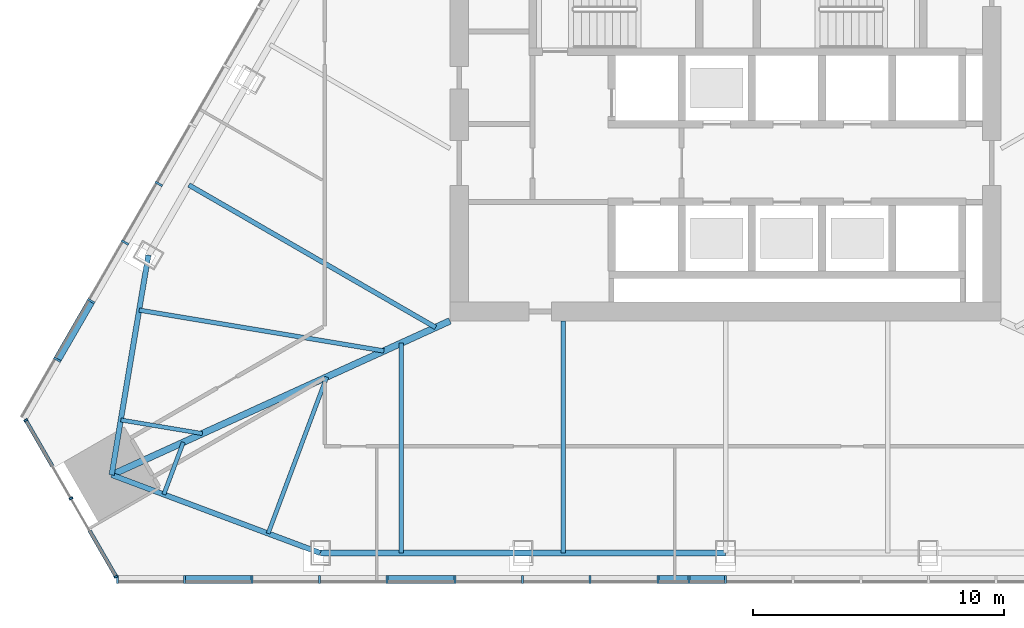
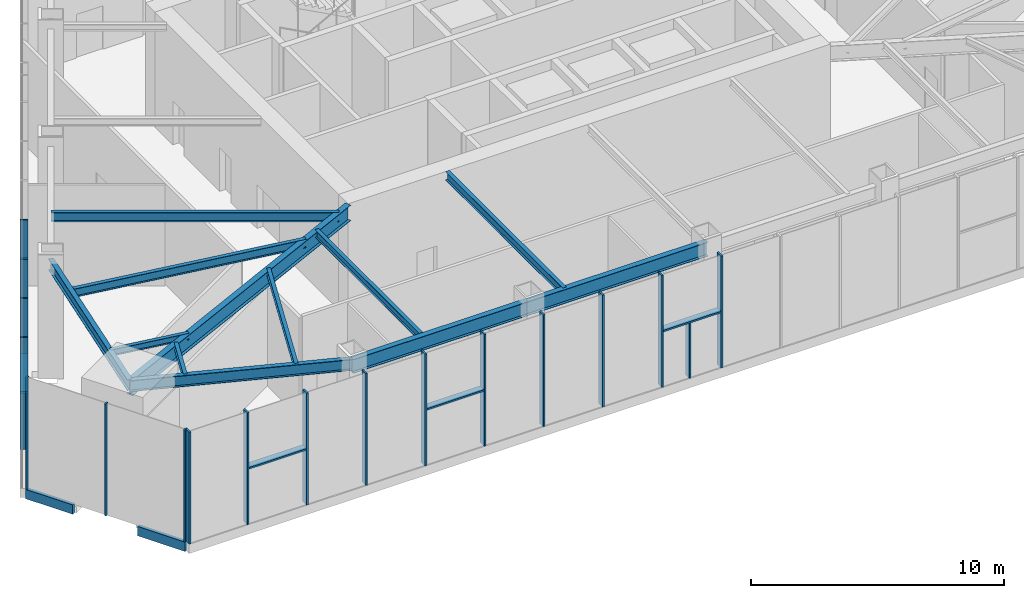
# One storey, part 2 of 16: 24 members, 11 beams, 3 elements without a shape of their own.
"""IFC4 building model written with IfcOpenShell, lengths in metres."""

from ifc_helpers import new_model, si_unit, direction, frame, origin, origin_2d, place, context, subcontext, project, spatial, rectangle, i_section, extrude, material, layer, layer_set, material_profile, profile_set, type_object, element, aggregate, save


model = new_model("IFC4")

# Units and contexts
model_context = context("Model", 3, precision=1e-05, world=origin(), true_north=direction((0.0, 1.0)))
body_context = subcontext(model_context, "Body", "Model", "MODEL_VIEW")
ifc_project = project(units=[si_unit("LENGTHUNIT", "METRE"), si_unit("AREAUNIT", "SQUARE_METRE"), si_unit("VOLUMEUNIT", "CUBIC_METRE"), si_unit("PLANEANGLEUNIT", "RADIAN"), si_unit("MASSUNIT", "GRAM", prefix="KILO")], contexts=[model_context])

# Site, building, storey
site_placement = place(None, origin())
site = spatial("IfcSite", under=ifc_project, at=site_placement, CompositionType="ELEMENT")
building_placement = place(site_placement, origin())
building = spatial("IfcBuilding", under=site, at=building_placement, Name="Firuza Gate Tower and Library", CompositionType="ELEMENT")
storey_placement = place(building_placement, frame((0.0, 0.0, 241.60009765625)))
storey = spatial("IfcBuildingStorey", under=building, at=storey_placement, Name="L57", CompositionType="ELEMENT", Elevation=241.60009765625)

# Curtain wall, members
ifc_material_1 = material(Name="Aluminium 6063-T6", Category="aluminium")
ifc_layer_1 = layer(ifc_material_1, 0.14990234375)
ifc_layer_set_1 = layer_set([ifc_layer_1], Name="Corner curtain wall, chamfers")
curtain_wall_type_1 = type_object("IfcCurtainWallType", Name="Corner curtain wall, chamfers", PredefinedType="NOTDEFINED", material=ifc_layer_set_1)
placement = place(storey_placement, origin())
curtain_wall_1 = element("IfcCurtainWall", 1, at=placement, inside=storey, type_object=curtain_wall_type_1, Name="CW4 L57 SW corner", PredefinedType="NOTDEFINED")
ifc_material_2 = material(Name="Aluminium 6063-T6", Category="aluminium")
ifc_material_profile_1 = material_profile(ifc_material_2, rectangle(XDim=0.14990234375, YDim=0.080078125, at=origin_2d()))
ifc_profile_set_1 = profile_set([ifc_material_profile_1], Name="Aluminium 6063-T6")
member_type_1 = type_object("IfcMemberType", Name="Curtain wall mullion 80x150", PredefinedType="MULLION", material=ifc_profile_set_1)
member_1_placement = place(storey_placement, frame((47.071044921875, 63.035888671875, 0.14990234375), z_axis=(0.0, 0.0, 1.0), x_axis=(0.866025403784, 0.5, 0.0)))
member_1 = element("IfcMember", 2, at=member_1_placement, type_object=member_type_1, Name="Mullion", PredefinedType="MULLION", context=body_context, shape_type="SweptSolid", body=[
    extrude(rectangle(XDim=0.14990234375, YDim=0.080078125, at=origin_2d()), origin(), (0.0, 0.0, 1.0), 5.39990234375),
])
member_2_placement = place(storey_placement, frame((48.87255859375, 59.915283203125, 0.14990234375), z_axis=(0.0, 0.0, 1.0), x_axis=(0.866025403784, 0.5, 0.0)))
member_2 = element("IfcMember", 3, at=member_2_placement, type_object=member_type_1, Name="Mullion", PredefinedType="MULLION", context=body_context, shape_type="SweptSolid", body=[
    extrude(rectangle(XDim=0.14990234375, YDim=0.080078125, at=origin_2d()), origin(), (0.0, 0.0, 1.0), 5.39990234375),
])
member_3_placement = place(storey_placement, frame((50.67431640625, 56.794921875, 0.14990234375), z_axis=(0.0, 0.0, 1.0), x_axis=(0.866025403784, 0.5, 0.0)))
member_3 = element("IfcMember", 4, at=member_3_placement, type_object=member_type_1, Name="Mullion", PredefinedType="MULLION", context=body_context, shape_type="SweptSolid", body=[
    extrude(rectangle(XDim=0.14990234375, YDim=0.080078125, at=origin_2d()), origin(), (0.0, 0.0, 1.0), 5.39990234375),
])

ifc_material_3 = material(Name="Aluminium 6063-T6", Category="aluminium")
ifc_layer_2 = layer(ifc_material_3, 0.14990234375)
ifc_layer_set_2 = layer_set([ifc_layer_2], Name="Unitised curtain wall, hotel")
curtain_wall_type_2 = type_object("IfcCurtainWallType", Name="Unitised curtain wall, hotel", PredefinedType="NOTDEFINED", material=ifc_layer_set_2)
curtain_wall_2 = element("IfcCurtainWall", 5, at=placement, inside=storey, type_object=curtain_wall_type_2, Name="CW2 L57 S face", PredefinedType="NOTDEFINED")
ifc_material_4 = material(Name="Aluminium 6063-T6", Category="aluminium")
ifc_material_profile_2 = material_profile(ifc_material_4, rectangle(XDim=0.320068359375, YDim=0.080078125, at=origin_2d()))
ifc_profile_set_2 = profile_set([ifc_material_profile_2], Name="Aluminium 6063-T6")
member_type_2 = type_object("IfcMemberType", Name="Curtain wall mullion 80x320", PredefinedType="MULLION", material=ifc_profile_set_2)
member_4_placement = place(storey_placement, frame((50.734375, 56.675048828125, 0.14990234375), z_axis=(0.0, 0.0, 1.0), x_axis=(0.0, 1.0, 0.0)))
member_4 = element("IfcMember", 6, at=member_4_placement, type_object=member_type_2, Name="Mullion", PredefinedType="MULLION", context=body_context, shape_type="SweptSolid", body=[
    extrude(rectangle(XDim=0.320068359375, YDim=0.080078125, at=origin_2d()), origin(), (0.0, 0.0, 1.0), 5.39990234375),
])
member_5_placement = place(storey_placement, frame((53.39501953125, 56.675048828125, 0.14990234375), z_axis=(0.0, 0.0, 1.0), x_axis=(0.0, 1.0, 0.0)))
member_5 = element("IfcMember", 7, at=member_5_placement, type_object=member_type_2, Name="Mullion", PredefinedType="MULLION", context=body_context, shape_type="SweptSolid", body=[
    extrude(rectangle(XDim=0.320068359375, YDim=0.080078125, at=origin_2d()), origin(), (0.0, 0.0, 1.0), 5.39990234375),
])
member_6_placement = place(storey_placement, frame((56.095458984375, 56.675048828125, 0.14990234375), z_axis=(0.0, 0.0, 1.0), x_axis=(0.0, 1.0, 0.0)))
member_6 = element("IfcMember", 8, at=member_6_placement, type_object=member_type_2, Name="Mullion", PredefinedType="MULLION", context=body_context, shape_type="SweptSolid", body=[
    extrude(rectangle(XDim=0.320068359375, YDim=0.080078125, at=origin_2d()), origin(), (0.0, 0.0, 1.0), 5.39990234375),
])
member_7_placement = place(storey_placement, frame((58.796142578125, 56.675048828125, 0.14990234375), z_axis=(0.0, 0.0, 1.0), x_axis=(0.0, 1.0, 0.0)))
member_7 = element("IfcMember", 9, at=member_7_placement, type_object=member_type_2, Name="Mullion", PredefinedType="MULLION", context=body_context, shape_type="SweptSolid", body=[
    extrude(rectangle(XDim=0.320068359375, YDim=0.080078125, at=origin_2d()), origin(), (0.0, 0.0, 1.0), 5.39990234375),
])
member_8_placement = place(storey_placement, frame((61.496826171875, 56.675048828125, 0.14990234375), z_axis=(0.0, 0.0, 1.0), x_axis=(0.0, 1.0, 0.0)))
member_8 = element("IfcMember", 10, at=member_8_placement, type_object=member_type_2, Name="Mullion", PredefinedType="MULLION", context=body_context, shape_type="SweptSolid", body=[
    extrude(rectangle(XDim=0.320068359375, YDim=0.080078125, at=origin_2d()), origin(), (0.0, 0.0, 1.0), 5.39990234375),
])
member_9_placement = place(storey_placement, frame((64.197509765625, 56.675048828125, 0.14990234375), z_axis=(0.0, 0.0, 1.0), x_axis=(0.0, 1.0, 0.0)))
member_9 = element("IfcMember", 11, at=member_9_placement, type_object=member_type_2, Name="Mullion", PredefinedType="MULLION", context=body_context, shape_type="SweptSolid", body=[
    extrude(rectangle(XDim=0.320068359375, YDim=0.080078125, at=origin_2d()), origin(), (0.0, 0.0, 1.0), 5.39990234375),
])
member_10_placement = place(storey_placement, frame((66.898193359375, 56.675048828125, 0.14990234375), z_axis=(0.0, 0.0, 1.0), x_axis=(0.0, 1.0, 0.0)))
member_10 = element("IfcMember", 12, at=member_10_placement, type_object=member_type_2, Name="Mullion", PredefinedType="MULLION", context=body_context, shape_type="SweptSolid", body=[
    extrude(rectangle(XDim=0.320068359375, YDim=0.080078125, at=origin_2d()), origin(), (0.0, 0.0, 1.0), 5.39990234375),
])
member_11_placement = place(storey_placement, frame((69.5986328125, 56.675048828125, 0.14990234375), z_axis=(0.0, 0.0, 1.0), x_axis=(0.0, 1.0, 0.0)))
member_11 = element("IfcMember", 13, at=member_11_placement, type_object=member_type_2, Name="Mullion", PredefinedType="MULLION", context=body_context, shape_type="SweptSolid", body=[
    extrude(rectangle(XDim=0.320068359375, YDim=0.080078125, at=origin_2d()), origin(), (0.0, 0.0, 1.0), 5.39990234375),
])
member_12_placement = place(storey_placement, frame((72.29931640625, 56.675048828125, 0.14990234375), z_axis=(0.0, 0.0, 1.0), x_axis=(0.0, 1.0, 0.0)))
member_12 = element("IfcMember", 14, at=member_12_placement, type_object=member_type_2, Name="Mullion", PredefinedType="MULLION", context=body_context, shape_type="SweptSolid", body=[
    extrude(rectangle(XDim=0.320068359375, YDim=0.080078125, at=origin_2d()), origin(), (0.0, 0.0, 1.0), 5.39990234375),
])
member_13_placement = place(storey_placement, frame((75.0, 56.675048828125, 0.14990234375), z_axis=(0.0, 0.0, 1.0), x_axis=(0.0, 1.0, 0.0)))
member_13 = element("IfcMember", 15, at=member_13_placement, type_object=member_type_2, Name="Mullion", PredefinedType="MULLION", context=body_context, shape_type="SweptSolid", body=[
    extrude(rectangle(XDim=0.320068359375, YDim=0.080078125, at=origin_2d()), origin(), (0.0, 0.0, 1.0), 5.39990234375),
])
member_14_placement = place(storey_placement, frame((73.551025390625, 56.675048828125, 0.14990234375), z_axis=(0.0, 0.0, 1.0), x_axis=(0.0, 1.0, 0.0)))
member_14 = element("IfcMember", 16, at=member_14_placement, type_object=member_type_2, Name="Mullion", PredefinedType="MULLION", context=body_context, shape_type="SweptSolid", body=[
    extrude(rectangle(XDim=0.320068359375, YDim=0.080078125, at=origin_2d()), origin(), (0.0, 0.0, 1.0), 2.659912109375),
])

curtain_wall_3 = element("IfcCurtainWall", 17, at=placement, inside=storey, type_object=curtain_wall_type_2, Name="CW2 L57 W face", PredefinedType="NOTDEFINED")
member_15_placement = place(storey_placement, frame((52.378662109375, 72.46826171875, 0.14990234375), z_axis=(0.0, 0.0, 1.0), x_axis=(0.866025403784, -0.5, 0.0)))
member_15 = element("IfcMember", 18, at=member_15_placement, type_object=member_type_2, Name="Mullion", PredefinedType="MULLION", context=body_context, shape_type="SweptSolid", body=[
    extrude(rectangle(XDim=0.320068359375, YDim=0.080078125, at=origin_2d()), origin(), (0.0, 0.0, 1.0), 5.39990234375),
])
member_16_placement = place(storey_placement, frame((51.0283203125, 70.12939453125, 0.14990234375), z_axis=(0.0, 0.0, 1.0), x_axis=(0.866025403784, -0.5, 0.0)))
member_16 = element("IfcMember", 19, at=member_16_placement, type_object=member_type_2, Name="Mullion", PredefinedType="MULLION", context=body_context, shape_type="SweptSolid", body=[
    extrude(rectangle(XDim=0.320068359375, YDim=0.080078125, at=origin_2d()), origin(), (0.0, 0.0, 1.0), 5.39990234375),
])
member_17_placement = place(storey_placement, frame((49.677978515625, 67.790771484375, 0.14990234375), z_axis=(0.0, 0.0, 1.0), x_axis=(0.866025403784, -0.5, 0.0)))
member_17 = element("IfcMember", 20, at=member_17_placement, type_object=member_type_2, Name="Mullion", PredefinedType="MULLION", context=body_context, shape_type="SweptSolid", body=[
    extrude(rectangle(XDim=0.320068359375, YDim=0.080078125, at=origin_2d()), origin(), (0.0, 0.0, 1.0), 5.39990234375),
])
member_18_placement = place(storey_placement, frame((48.32763671875, 65.451904296875, 0.14990234375), z_axis=(0.0, 0.0, 1.0), x_axis=(0.866025403784, -0.5, 0.0)))
member_18 = element("IfcMember", 21, at=member_18_placement, type_object=member_type_2, Name="Mullion", PredefinedType="MULLION", context=body_context, shape_type="SweptSolid", body=[
    extrude(rectangle(XDim=0.320068359375, YDim=0.080078125, at=origin_2d()), origin(), (0.0, 0.0, 1.0), 5.39990234375),
])

# Member
ifc_material_5 = material(Name="Aluminium 6063-T6", Category="aluminium")
ifc_material_profile_3 = material_profile(ifc_material_5, rectangle(XDim=0.14990234375, YDim=0.449951171875, at=origin_2d()))
ifc_profile_set_3 = profile_set([ifc_material_profile_3], Name="Aluminium 6063-T6")
member_type_3 = type_object("IfcMemberType", Name="Curtain wall transom 450x150", PredefinedType="USERDEFINED", material=ifc_profile_set_3)
member_19_placement = place(storey_placement, frame((47.051025390625, 63.070556640625, -0.0751953125), z_axis=(0.499950402033, -0.866054037291, 0.0), x_axis=(0.866054037291, 0.499950402033, 0.0)))
member_19 = element("IfcMember", 22, at=member_19_placement, type_object=member_type_3, Name="Transom", ObjectType="TRANSOM", PredefinedType="USERDEFINED", context=body_context, shape_type="SweptSolid", body=[
    extrude(rectangle(XDim=0.14990234375, YDim=0.449951171875, at=origin_2d()), origin(), (0.0, 0.0, 1.0), 2.163330078125),
])

member_20_placement = place(storey_placement, frame((49.612548828125, 58.633544921875, -0.0751953125), z_axis=(0.500083913605, -0.865976950821, 0.0), x_axis=(0.865976950821, 0.500083913605, 0.0)))
member_20 = element("IfcMember", 23, at=member_20_placement, type_object=member_type_3, Name="Transom", ObjectType="TRANSOM", PredefinedType="USERDEFINED", context=body_context, shape_type="SweptSolid", body=[
    extrude(rectangle(XDim=0.14990234375, YDim=0.449951171875, at=origin_2d()), origin(), (0.0, 0.0, 1.0), 2.163330078125),
])

aggregate(curtain_wall_1, [member_1, member_2, member_3, member_19, member_20])

ifc_material_6 = material(Name="Aluminium 6063-T6", Category="aluminium")
ifc_material_profile_4 = material_profile(ifc_material_6, rectangle(XDim=0.320068359375, YDim=0.080078125, at=origin_2d()))
ifc_profile_set_4 = profile_set([ifc_material_profile_4], Name="Aluminium 6063-T6")
member_type_4 = type_object("IfcMemberType", Name="Curtain wall transom 80x320", PredefinedType="USERDEFINED", material=ifc_profile_set_4)
member_21_placement = place(storey_placement, frame((53.434814453125, 56.675048828125, 2.849853515625), z_axis=(1.0, 0.0, 0.0), x_axis=(0.0, 1.0, 0.0)))
member_21 = element("IfcMember", 24, at=member_21_placement, type_object=member_type_4, Name="Transom", ObjectType="TRANSOM", PredefinedType="USERDEFINED", context=body_context, shape_type="SweptSolid", body=[
    extrude(rectangle(XDim=0.320068359375, YDim=0.080078125, at=origin_2d()), origin(), (0.0, 0.0, 1.0), 2.620849609375),
])

member_22_placement = place(storey_placement, frame((61.536865234375, 56.675048828125, 2.849853515625), z_axis=(1.0, 0.0, 0.0), x_axis=(0.0, 1.0, 0.0)))
member_22 = element("IfcMember", 25, at=member_22_placement, type_object=member_type_4, Name="Transom", ObjectType="TRANSOM", PredefinedType="USERDEFINED", context=body_context, shape_type="SweptSolid", body=[
    extrude(rectangle(XDim=0.320068359375, YDim=0.080078125, at=origin_2d()), origin(), (0.0, 0.0, 1.0), 2.62060546875),
])

member_23_placement = place(storey_placement, frame((72.33935546875, 56.675048828125, 2.849853515625), z_axis=(1.0, 0.0, 0.0), x_axis=(0.0, 1.0, 0.0)))
member_23 = element("IfcMember", 26, at=member_23_placement, type_object=member_type_4, Name="Transom", ObjectType="TRANSOM", PredefinedType="USERDEFINED", context=body_context, shape_type="SweptSolid", body=[
    extrude(rectangle(XDim=0.320068359375, YDim=0.080078125, at=origin_2d()), origin(), (0.0, 0.0, 1.0), 2.62060546875),
])

aggregate(curtain_wall_2, [member_4, member_5, member_6, member_7, member_8, member_9, member_10, member_11, member_12, member_13, member_21, member_22, member_14, member_23])

member_24_placement = place(storey_placement, frame((49.657958984375, 67.756103515625, 2.849853515625), z_axis=(-0.499996639036, -0.866027344229, 0.0), x_axis=(0.866027344229, -0.499996639036, 0.0)))
member_24 = element("IfcMember", 27, at=member_24_placement, type_object=member_type_4, Name="Transom", ObjectType="TRANSOM", PredefinedType="USERDEFINED", context=body_context, shape_type="SweptSolid", body=[
    extrude(rectangle(XDim=0.320068359375, YDim=0.080078125, at=origin_2d()), origin(), (0.0, 0.0, 1.0), 2.62060546875),
])

aggregate(curtain_wall_3, [member_15, member_16, member_17, member_18, member_24])

# Beams
ifc_material_7 = material(Name="Steel S355", Category="steel")
ifc_material_profile_5 = material_profile(ifc_material_7, i_section(OverallWidth=0.1650390625, OverallDepth=0.31005859375, WebThickness=0.005859375, FlangeThickness=0.009765625, at=origin_2d()))
ifc_profile_set_5 = profile_set([ifc_material_profile_5], Name="Steel S355")
beam_type_1 = type_object("IfcBeamType", Name="W310x39 Floor beam", PredefinedType="JOIST", material=ifc_profile_set_5)
beam_1_placement = place(storey_placement, frame((50.862548828125, 63.045654296875, 5.39501953125), z_axis=(0.986361931046, -0.164590828974, 0.0), x_axis=(0.164590828974, 0.986361931046, 0.0)))
element("IfcBeam", 28, at=beam_1_placement, inside=storey, type_object=beam_type_1, Name="Floor beam L57 s01", PredefinedType="JOIST", context=body_context, shape_type="SweptSolid", body=[
    extrude(i_section(OverallWidth=0.1650390625, OverallDepth=0.31005859375, WebThickness=0.005859375, FlangeThickness=0.009765625, at=origin_2d()), origin(), (0.0, 0.0, 1.0), 3.3017578125),
])
beam_2_placement = place(storey_placement, frame((52.57861328125, 60.073486328125, 5.39501953125), z_axis=(0.35054569106, 0.936545630751, 0.0), x_axis=(-0.936545630751, 0.35054569106, 0.0)))
element("IfcBeam", 29, at=beam_2_placement, inside=storey, type_object=beam_type_1, Name="Floor beam L57 s10", PredefinedType="JOIST", context=body_context, shape_type="SweptSolid", body=[
    extrude(i_section(OverallWidth=0.1650390625, OverallDepth=0.31005859375, WebThickness=0.005859375, FlangeThickness=0.009765625, at=origin_2d()), origin(), (0.0, 0.0, 1.0), 2.22314453125),
])
beam_3_placement = place(storey_placement, frame((56.742919921875, 58.5146484375, 5.39501953125), z_axis=(0.350577798821, 0.936533612303, 0.0), x_axis=(-0.936533612303, 0.350577798821, 0.0)))
element("IfcBeam", 30, at=beam_3_placement, inside=storey, type_object=beam_type_1, Name="Floor beam L57 s11", PredefinedType="JOIST", context=body_context, shape_type="SweptSolid", body=[
    extrude(i_section(OverallWidth=0.1650390625, OverallDepth=0.31005859375, WebThickness=0.005859375, FlangeThickness=0.009765625, at=origin_2d()), origin(), (0.0, 0.0, 1.0), 6.66943359375),
])
ifc_material_8 = material(Name="Steel S355", Category="steel")
ifc_material_profile_6 = material_profile(ifc_material_8, i_section(OverallWidth=0.1708984375, OverallDepth=0.35498046875, WebThickness=0.007080078125, FlangeThickness=0.01171875, at=origin_2d()))
ifc_profile_set_6 = profile_set([ifc_material_profile_6], Name="Steel S355")
beam_type_2 = type_object("IfcBeamType", Name="W360x51 Floor beam", PredefinedType="JOIST", material=ifc_profile_set_6)
beam_4_placement = place(storey_placement, frame((62.06005859375, 57.735107421875, 5.372314453125), z_axis=(0.0, 1.0, 0.0), x_axis=(-1.0, 0.0, 0.0)))
element("IfcBeam", 31, at=beam_4_placement, inside=storey, type_object=beam_type_2, Name="Floor beam L57 s20", PredefinedType="JOIST", context=body_context, shape_type="SweptSolid", body=[
    extrude(i_section(OverallWidth=0.1708984375, OverallDepth=0.35498046875, WebThickness=0.007080078125, FlangeThickness=0.01171875, at=origin_2d()), origin(), (0.0, 0.0, 1.0), 8.3818359375),
])
ifc_material_9 = material(Name="Steel S355", Category="steel")
ifc_material_profile_7 = material_profile(ifc_material_9, i_section(OverallWidth=0.177978515625, OverallDepth=0.406982421875, WebThickness=0.0078125, FlangeThickness=0.0126953125, at=origin_2d()))
ifc_profile_set_7 = profile_set([ifc_material_profile_7], Name="Steel S355")
beam_type_3 = type_object("IfcBeamType", Name="W410x60 Floor beam", PredefinedType="JOIST", material=ifc_profile_set_7)
beam_5_placement = place(storey_placement, frame((51.5947265625, 67.431640625, 5.346435546875), z_axis=(0.986349924668, -0.164662764785, 0.0), x_axis=(0.164662764785, 0.986349924668, 0.0)))
element("IfcBeam", 32, at=beam_5_placement, inside=storey, type_object=beam_type_3, Name="Floor beam L57 s00", PredefinedType="JOIST", context=body_context, shape_type="SweptSolid", body=[
    extrude(i_section(OverallWidth=0.177978515625, OverallDepth=0.406982421875, WebThickness=0.0078125, FlangeThickness=0.0126953125, at=origin_2d()), origin(), (0.0, 0.0, 1.0), 9.90576171875),
])
beam_6_placement = place(storey_placement, frame((68.530029296875, 57.735107421875, 5.346435546875), z_axis=(0.0, 1.0, 0.0), x_axis=(-1.0, 0.0, 0.0)))
element("IfcBeam", 33, at=beam_6_placement, inside=storey, type_object=beam_type_3, Name="Floor beam L57 s21", PredefinedType="JOIST", context=body_context, shape_type="SweptSolid", body=[
    extrude(i_section(OverallWidth=0.177978515625, OverallDepth=0.406982421875, WebThickness=0.0078125, FlangeThickness=0.0126953125, at=origin_2d()), origin(), (0.0, 0.0, 1.0), 9.264892578125),
])
ifc_material_10 = material(Name="Steel S355", Category="steel")
ifc_material_profile_8 = material_profile(ifc_material_10, i_section(OverallWidth=0.18994140625, OverallDepth=0.45703125, WebThickness=0.009033203125, FlangeThickness=0.014404296875, at=origin_2d()))
ifc_profile_set_8 = profile_set([ifc_material_profile_8], Name="Steel S355")
beam_type_4 = type_object("IfcBeamType", Name="W460x74 Floor beam", PredefinedType="JOIST", material=ifc_profile_set_8)
beam_7_placement = place(storey_placement, frame((53.578125, 72.426025390625, 5.3212890625), z_axis=(0.866031159827, -0.499990030109, 0.0), x_axis=(0.499990030109, 0.866031159827, 0.0)))
element("IfcBeam", 34, at=beam_7_placement, inside=storey, type_object=beam_type_4, Name="Floor beam L57 s84", PredefinedType="JOIST", context=body_context, shape_type="SweptSolid", body=[
    extrude(i_section(OverallWidth=0.18994140625, OverallDepth=0.45703125, WebThickness=0.009033203125, FlangeThickness=0.014404296875, at=origin_2d()), origin(), (0.0, 0.0, 1.0), 11.373291015625),
])
ifc_material_11 = material(Name="Steel S355", Category="steel")
ifc_material_profile_9 = material_profile(ifc_material_11, i_section(OverallWidth=0.212890625, OverallDepth=0.5390625, WebThickness=0.01171875, FlangeThickness=0.018798828125, at=origin_2d()))
ifc_profile_set_9 = profile_set([ifc_material_profile_9], Name="Steel S355")
beam_type_5 = type_object("IfcBeamType", Name="W530x109 Edge beam", PredefinedType="SPANDREL", material=ifc_profile_set_9)
for number, where, z_axis, x_axis, name in (
    (35, (51.960693359375, 69.62451171875, 5.280517578125), (-0.164661637586, -0.986350112844, 0.0), (0.986350112844, -0.164661637586, 0.0), "Edge beam L57 e00"),
    (36, (50.496337890625, 60.852783203125, 5.280517578125), (0.936534351457, -0.350575824239, 0.0), (0.350575824239, 0.936534351457, 0.0), "Edge beam L57 e10"),
):
    element("IfcBeam", number, at=place(storey_placement, frame(where, z_axis=z_axis, x_axis=x_axis)), inside=storey, type_object=beam_type_5, Name=name, PredefinedType="SPANDREL", context=body_context, shape_type="SweptSolid", body=[
        extrude(i_section(OverallWidth=0.212890625, OverallDepth=0.5390625, WebThickness=0.01171875, FlangeThickness=0.018798828125, at=origin_2d()), origin(), (0.0, 0.0, 1.0), 8.89306640625),
    ])
ifc_material_12 = material(Name="Steel S355", Category="steel")
ifc_material_profile_10 = material_profile(ifc_material_12, i_section(OverallWidth=0.2529296875, OverallDepth=0.677978515625, WebThickness=0.01171875, FlangeThickness=0.016357421875, at=origin_2d()))
ifc_profile_set_10 = profile_set([ifc_material_profile_10], Name="Steel S355")
beam_type_6 = type_object("IfcBeamType", Name="W690x125 Edge beam", PredefinedType="SPANDREL", material=ifc_profile_set_10)
beam_8_placement = place(storey_placement, frame((58.824951171875, 57.735107421875, 5.2109375), z_axis=(1.0, 0.0, 0.0), x_axis=(0.0, 1.0, 0.0)))
element("IfcBeam", 37, at=beam_8_placement, inside=storey, type_object=beam_type_6, Name="Edge beam L57 e20", PredefinedType="SPANDREL", context=body_context, shape_type="SweptSolid", body=[
    extrude(i_section(OverallWidth=0.2529296875, OverallDepth=0.677978515625, WebThickness=0.01171875, FlangeThickness=0.016357421875, at=origin_2d()), origin(), (0.0, 0.0, 1.0), 16.175048828125),
])
ifc_material_13 = material(Name="Steel S355", Category="steel")
ifc_material_profile_11 = material_profile(ifc_material_13, i_section(OverallWidth=0.264892578125, OverallDepth=0.7529296875, WebThickness=0.01318359375, FlangeThickness=0.01708984375, at=origin_2d()))
ifc_profile_set_11 = profile_set([ifc_material_profile_11], Name="Steel S355")
beam_type_7 = type_object("IfcBeamType", Name="W760x147 Girder", PredefinedType="BEAM", material=ifc_profile_set_11)
beam_9_placement = place(storey_placement, frame((50.496337890625, 60.852783203125, 5.17333984375), z_axis=(0.910133034864, 0.414316133949, 0.0), x_axis=(-0.414316133949, 0.910133034864, 0.0)))
element("IfcBeam", 38, at=beam_9_placement, inside=storey, type_object=beam_type_7, Name="Girder L57 gSW", PredefinedType="BEAM", context=body_context, shape_type="SweptSolid", body=[
    extrude(i_section(OverallWidth=0.264892578125, OverallDepth=0.7529296875, WebThickness=0.01318359375, FlangeThickness=0.01708984375, at=origin_2d()), origin(), (0.0, 0.0, 1.0), 14.8369140625),
])

save(model, "model.ifc")
